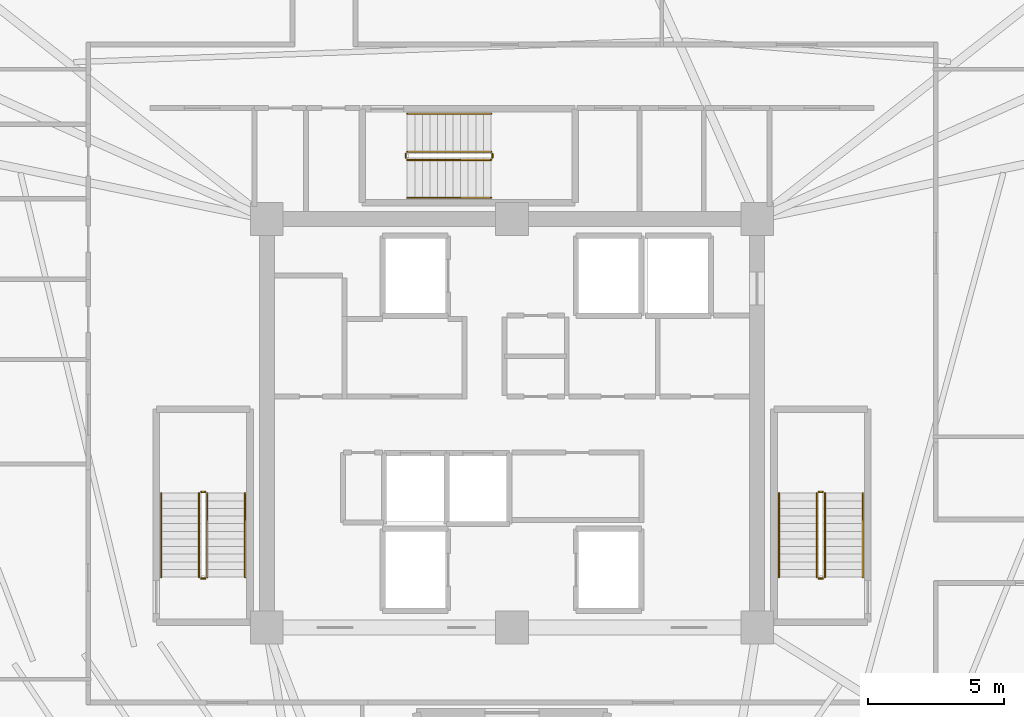
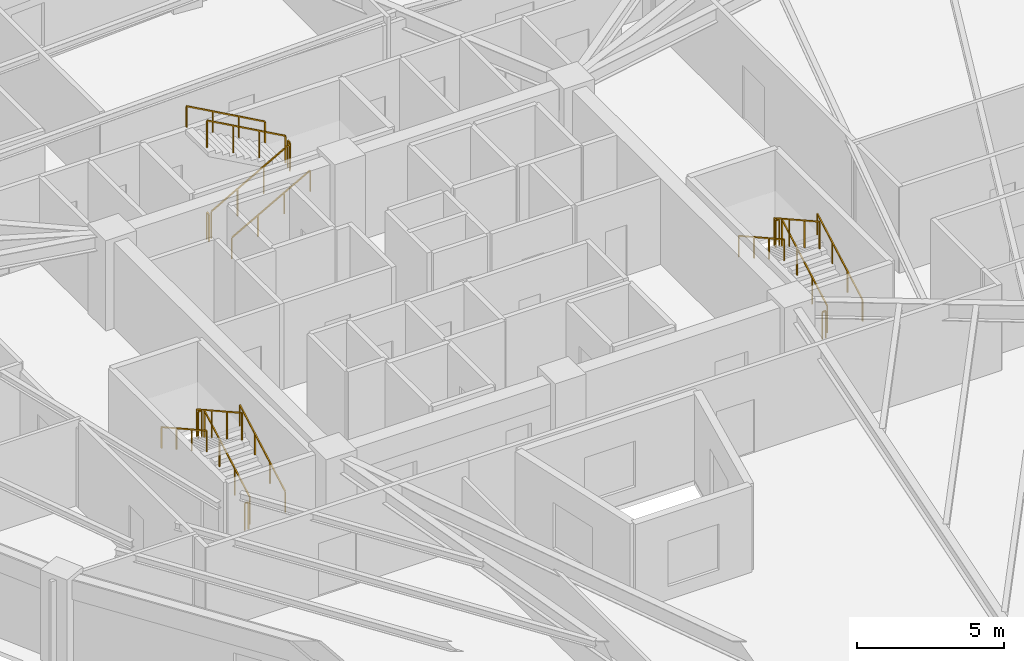
# One storey, part 8 of 8: 18 railings.
"""IFC4 building model written with IfcOpenShell, lengths in metres."""

from ifc_helpers import new_model, si_unit, direction, frame, origin, origin_2d, place, context, subcontext, project, spatial, rectangle, extrude, material, type_object, element, save


model = new_model("IFC4")

# Units and contexts
model_context = context("Model", 3, precision=1e-05, world=origin(), true_north=direction((0.0, 1.0)))
body_context = subcontext(model_context, "Body", "Model", "MODEL_VIEW")
ifc_project = project(units=[si_unit("LENGTHUNIT", "METRE"), si_unit("AREAUNIT", "SQUARE_METRE"), si_unit("VOLUMEUNIT", "CUBIC_METRE"), si_unit("PLANEANGLEUNIT", "RADIAN"), si_unit("MASSUNIT", "GRAM", prefix="KILO")], contexts=[model_context])

# Site, building, storey
site_placement = place(None, origin())
site = spatial("IfcSite", under=ifc_project, at=site_placement, CompositionType="ELEMENT")
building_placement = place(site_placement, origin())
building = spatial("IfcBuilding", under=site, at=building_placement, Name="Liaohun Quay Tower", CompositionType="ELEMENT")
storey_placement = place(building_placement, frame((0.0, 0.0, 290.25)))
storey = spatial("IfcBuildingStorey", under=building, at=storey_placement, Name="L75", CompositionType="ELEMENT", Elevation=290.25)

# Railings
ifc_material_1 = material(Name="Painted tubular steel", Category="steel")
railing_type_1 = type_object("IfcRailingType", Name="RLG-GUARD-STR", PredefinedType="GUARDRAIL", material=ifc_material_1)
railing_1_placement = place(storey_placement, frame((48.81005859375, 48.35009765625, 0.15625)))
element("IfcRailing", 1, at=railing_1_placement, inside=storey, type_object=railing_type_1, Name="L75 ST-1 stair guard 1", PredefinedType="GUARDRAIL", context=body_context, shape_type="SweptSolid", body=[
    extrude(rectangle(XDim=0.048095703125, YDim=0.048095703125, at=origin_2d()), frame((0.0, 0.0, 1.1259765625), z_axis=(0.0, 0.873225103656, 0.487317061414), x_axis=(-1.0, 0.0, 0.0)), (0.0, 0.0, 1.0), 3.52685546875),
    extrude(rectangle(XDim=0.0419921875, YDim=0.0419921875, at=origin_2d()), origin(), (0.0, 0.0, 1.0), 1.101806640625),
    extrude(rectangle(XDim=0.0419921875, YDim=0.0419921875, at=origin_2d()), frame((0.0, 1.026611328125, 0.572998046875)), (0.0, 0.0, 1.0), 1.101806640625),
    extrude(rectangle(XDim=0.0419921875, YDim=0.0419921875, at=origin_2d()), frame((0.0, 2.05322265625, 1.145751953125)), (0.0, 0.0, 1.0), 1.101806640625),
    extrude(rectangle(XDim=0.0419921875, YDim=0.0419921875, at=origin_2d()), frame((0.0, 3.079833984375, 1.71875)), (0.0, 0.0, 1.0), 1.101806640625),
])
railing_2_placement = place(storey_placement, frame((48.72998046875, 51.47998046875, 1.875)))
element("IfcRailing", 2, at=railing_2_placement, inside=storey, type_object=railing_type_1, Name="L75 ST-1 stair guard 2", PredefinedType="GUARDRAIL", context=body_context, shape_type="SweptSolid", body=[
    extrude(rectangle(XDim=0.048095703125, YDim=0.048095703125, at=origin_2d()), frame((0.0, 0.0, 1.1259765625), z_axis=(-1.0, 0.0, 0.0), x_axis=(0.0, -1.0, 0.0)), (0.0, 0.0, 1.0), 0.139892578125),
    extrude(rectangle(XDim=0.0419921875, YDim=0.0419921875, at=origin_2d()), origin(), (0.0, 0.0, 1.0), 1.101806640625),
    extrude(rectangle(XDim=0.0419921875, YDim=0.0419921875, at=origin_2d()), frame((-0.139892578125, 0.0, 0.0)), (0.0, 0.0, 1.0), 1.101806640625),
])
railing_3_placement = place(storey_placement, frame((48.510009765625, 51.429931640625, 2.03125)))
element("IfcRailing", 3, at=railing_3_placement, inside=storey, type_object=railing_type_1, Name="L75 ST-1 stair guard 3", PredefinedType="GUARDRAIL", context=body_context, shape_type="SweptSolid", body=[
    extrude(rectangle(XDim=0.048095703125, YDim=0.048095703125, at=origin_2d()), frame((0.0, 0.0, 1.1259765625), z_axis=(0.0, -0.873225103656, 0.487317061414), x_axis=(1.0, 0.0, 0.0)), (0.0, 0.0, 1.0), 3.52685546875),
    extrude(rectangle(XDim=0.0419921875, YDim=0.0419921875, at=origin_2d()), origin(), (0.0, 0.0, 1.0), 1.101806640625),
    extrude(rectangle(XDim=0.0419921875, YDim=0.0419921875, at=origin_2d()), frame((0.0, -1.026611328125, 0.572998046875)), (0.0, 0.0, 1.0), 1.101806640625),
    extrude(rectangle(XDim=0.0419921875, YDim=0.0419921875, at=origin_2d()), frame((0.0, -2.05322265625, 1.145751953125)), (0.0, 0.0, 1.0), 1.101806640625),
    extrude(rectangle(XDim=0.0419921875, YDim=0.0419921875, at=origin_2d()), frame((0.0, -3.079833984375, 1.71875)), (0.0, 0.0, 1.0), 1.101806640625),
])
railing_4_placement = place(storey_placement, frame((48.72998046875, 48.300048828125, 0.0)))
element("IfcRailing", 4, at=railing_4_placement, inside=storey, type_object=railing_type_1, Name="L75 ST-1 stair guard 4", PredefinedType="GUARDRAIL", context=body_context, shape_type="SweptSolid", body=[
    extrude(rectangle(XDim=0.048095703125, YDim=0.048095703125, at=origin_2d()), frame((0.0, 0.0, 1.1259765625), z_axis=(-1.0, 0.0, 0.0), x_axis=(0.0, -1.0, 0.0)), (0.0, 0.0, 1.0), 0.139892578125),
    extrude(rectangle(XDim=0.0419921875, YDim=0.0419921875, at=origin_2d()), origin(), (0.0, 0.0, 1.0), 1.101806640625),
    extrude(rectangle(XDim=0.0419921875, YDim=0.0419921875, at=origin_2d()), frame((-0.139892578125, 0.0, 0.0)), (0.0, 0.0, 1.0), 1.101806640625),
])
railing_5_placement = place(storey_placement, frame((71.489990234375, 48.35009765625, 0.15625)))
element("IfcRailing", 5, at=railing_5_placement, inside=storey, type_object=railing_type_1, Name="L75 ST-2 stair guard 1", PredefinedType="GUARDRAIL", context=body_context, shape_type="SweptSolid", body=[
    extrude(rectangle(XDim=0.048095703125, YDim=0.048095703125, at=origin_2d()), frame((0.0, 0.0, 1.1259765625), z_axis=(0.0, 0.873225103656, 0.487317061414), x_axis=(-1.0, 0.0, 0.0)), (0.0, 0.0, 1.0), 3.52685546875),
    extrude(rectangle(XDim=0.0419921875, YDim=0.0419921875, at=origin_2d()), origin(), (0.0, 0.0, 1.0), 1.101806640625),
    extrude(rectangle(XDim=0.0419921875, YDim=0.0419921875, at=origin_2d()), frame((0.0, 1.026611328125, 0.572998046875)), (0.0, 0.0, 1.0), 1.101806640625),
    extrude(rectangle(XDim=0.0419921875, YDim=0.0419921875, at=origin_2d()), frame((0.0, 2.05322265625, 1.145751953125)), (0.0, 0.0, 1.0), 1.101806640625),
    extrude(rectangle(XDim=0.0419921875, YDim=0.0419921875, at=origin_2d()), frame((0.0, 3.079833984375, 1.71875)), (0.0, 0.0, 1.0), 1.101806640625),
])
railing_6_placement = place(storey_placement, frame((71.409912109375, 51.47998046875, 1.875)))
element("IfcRailing", 6, at=railing_6_placement, inside=storey, type_object=railing_type_1, Name="L75 ST-2 stair guard 2", PredefinedType="GUARDRAIL", context=body_context, shape_type="SweptSolid", body=[
    extrude(rectangle(XDim=0.048095703125, YDim=0.048095703125, at=origin_2d()), frame((0.0, 0.0, 1.1259765625), z_axis=(-1.0, 0.0, 0.0), x_axis=(0.0, -1.0, 0.0)), (0.0, 0.0, 1.0), 0.139892578125),
    extrude(rectangle(XDim=0.0419921875, YDim=0.0419921875, at=origin_2d()), origin(), (0.0, 0.0, 1.0), 1.101806640625),
    extrude(rectangle(XDim=0.0419921875, YDim=0.0419921875, at=origin_2d()), frame((-0.139892578125, 0.0, 0.0)), (0.0, 0.0, 1.0), 1.101806640625),
])
railing_7_placement = place(storey_placement, frame((71.18994140625, 51.429931640625, 2.03125)))
element("IfcRailing", 7, at=railing_7_placement, inside=storey, type_object=railing_type_1, Name="L75 ST-2 stair guard 3", PredefinedType="GUARDRAIL", context=body_context, shape_type="SweptSolid", body=[
    extrude(rectangle(XDim=0.048095703125, YDim=0.048095703125, at=origin_2d()), frame((0.0, 0.0, 1.1259765625), z_axis=(0.0, -0.873225103656, 0.487317061414), x_axis=(1.0, 0.0, 0.0)), (0.0, 0.0, 1.0), 3.52685546875),
    extrude(rectangle(XDim=0.0419921875, YDim=0.0419921875, at=origin_2d()), origin(), (0.0, 0.0, 1.0), 1.101806640625),
    extrude(rectangle(XDim=0.0419921875, YDim=0.0419921875, at=origin_2d()), frame((0.0, -1.026611328125, 0.572998046875)), (0.0, 0.0, 1.0), 1.101806640625),
    extrude(rectangle(XDim=0.0419921875, YDim=0.0419921875, at=origin_2d()), frame((0.0, -2.05322265625, 1.145751953125)), (0.0, 0.0, 1.0), 1.101806640625),
    extrude(rectangle(XDim=0.0419921875, YDim=0.0419921875, at=origin_2d()), frame((0.0, -3.079833984375, 1.71875)), (0.0, 0.0, 1.0), 1.101806640625),
])
railing_8_placement = place(storey_placement, frame((71.409912109375, 48.300048828125, 0.0)))
element("IfcRailing", 8, at=railing_8_placement, inside=storey, type_object=railing_type_1, Name="L75 ST-2 stair guard 4", PredefinedType="GUARDRAIL", context=body_context, shape_type="SweptSolid", body=[
    extrude(rectangle(XDim=0.048095703125, YDim=0.048095703125, at=origin_2d()), frame((0.0, 0.0, 1.1259765625), z_axis=(-1.0, 0.0, 0.0), x_axis=(0.0, -1.0, 0.0)), (0.0, 0.0, 1.0), 0.139892578125),
    extrude(rectangle(XDim=0.0419921875, YDim=0.0419921875, at=origin_2d()), origin(), (0.0, 0.0, 1.0), 1.101806640625),
    extrude(rectangle(XDim=0.0419921875, YDim=0.0419921875, at=origin_2d()), frame((-0.139892578125, 0.0, 0.0)), (0.0, 0.0, 1.0), 1.101806640625),
])
railing_9_placement = place(storey_placement, frame((56.14990234375, 63.669921875, 0.15625)))
element("IfcRailing", 9, at=railing_9_placement, inside=storey, type_object=railing_type_1, Name="L75 ST-3 stair guard 1", PredefinedType="GUARDRAIL", context=body_context, shape_type="SweptSolid", body=[
    extrude(rectangle(XDim=0.048095703125, YDim=0.048095703125, at=origin_2d()), frame((0.0, 0.0, 1.1259765625), z_axis=(0.873241540666, 0.0, 0.487287606713), x_axis=(0.0, 1.0, 0.0)), (0.0, 0.0, 1.0), 3.527099609375),
    extrude(rectangle(XDim=0.0419921875, YDim=0.0419921875, at=origin_2d()), origin(), (0.0, 0.0, 1.0), 1.101806640625),
    extrude(rectangle(XDim=0.0419921875, YDim=0.0419921875, at=origin_2d()), frame((1.026611328125, 0.0, 0.572998046875)), (0.0, 0.0, 1.0), 1.101806640625),
    extrude(rectangle(XDim=0.0419921875, YDim=0.0419921875, at=origin_2d()), frame((2.053466796875, 0.0, 1.145751953125)), (0.0, 0.0, 1.0), 1.101806640625),
    extrude(rectangle(XDim=0.0419921875, YDim=0.0419921875, at=origin_2d()), frame((3.080078125, 0.0, 1.71875)), (0.0, 0.0, 1.0), 1.101806640625),
])
railing_10_placement = place(storey_placement, frame((59.280029296875, 63.75, 1.875)))
element("IfcRailing", 10, at=railing_10_placement, inside=storey, type_object=railing_type_1, Name="L75 ST-3 stair guard 2", PredefinedType="GUARDRAIL", context=body_context, shape_type="SweptSolid", body=[
    extrude(rectangle(XDim=0.048095703125, YDim=0.048095703125, at=origin_2d()), frame((0.0, 0.0, 1.1259765625), z_axis=(0.0, 1.0, 0.0), x_axis=(-1.0, 0.0, 0.0)), (0.0, 0.0, 1.0), 0.139892578125),
    extrude(rectangle(XDim=0.0419921875, YDim=0.0419921875, at=origin_2d()), origin(), (0.0, 0.0, 1.0), 1.101806640625),
    extrude(rectangle(XDim=0.0419921875, YDim=0.0419921875, at=origin_2d()), frame((0.0, 0.139892578125, 0.0)), (0.0, 0.0, 1.0), 1.101806640625),
])
railing_11_placement = place(storey_placement, frame((59.22998046875, 63.969970703125, 2.03125)))
element("IfcRailing", 11, at=railing_11_placement, inside=storey, type_object=railing_type_1, Name="L75 ST-3 stair guard 3", PredefinedType="GUARDRAIL", context=body_context, shape_type="SweptSolid", body=[
    extrude(rectangle(XDim=0.048095703125, YDim=0.048095703125, at=origin_2d()), frame((0.0, 0.0, 1.1259765625), z_axis=(-0.873241540666, 0.0, 0.487287606713), x_axis=(0.0, -1.0, 0.0)), (0.0, 0.0, 1.0), 3.527099609375),
    extrude(rectangle(XDim=0.0419921875, YDim=0.0419921875, at=origin_2d()), origin(), (0.0, 0.0, 1.0), 1.101806640625),
    extrude(rectangle(XDim=0.0419921875, YDim=0.0419921875, at=origin_2d()), frame((-1.026611328125, 0.0, 0.572998046875)), (0.0, 0.0, 1.0), 1.101806640625),
    extrude(rectangle(XDim=0.0419921875, YDim=0.0419921875, at=origin_2d()), frame((-2.053466796875, 0.0, 1.145751953125)), (0.0, 0.0, 1.0), 1.101806640625),
    extrude(rectangle(XDim=0.0419921875, YDim=0.0419921875, at=origin_2d()), frame((-3.080078125, 0.0, 1.71875)), (0.0, 0.0, 1.0), 1.101806640625),
])
railing_12_placement = place(storey_placement, frame((56.10009765625, 63.75, 0.0)))
element("IfcRailing", 12, at=railing_12_placement, inside=storey, type_object=railing_type_1, Name="L75 ST-3 stair guard 4", PredefinedType="GUARDRAIL", context=body_context, shape_type="SweptSolid", body=[
    extrude(rectangle(XDim=0.048095703125, YDim=0.048095703125, at=origin_2d()), frame((0.0, 0.0, 1.1259765625), z_axis=(0.0, 1.0, 0.0), x_axis=(-1.0, 0.0, 0.0)), (0.0, 0.0, 1.0), 0.139892578125),
    extrude(rectangle(XDim=0.0419921875, YDim=0.0419921875, at=origin_2d()), origin(), (0.0, 0.0, 1.0), 1.101806640625),
    extrude(rectangle(XDim=0.0419921875, YDim=0.0419921875, at=origin_2d()), frame((0.0, 0.139892578125, 0.0)), (0.0, 0.0, 1.0), 1.101806640625),
])
ifc_material_2 = material(Name="Brushed stainless steel", Category="steel")
railing_type_2 = type_object("IfcRailingType", Name="RLG-HND-STR", PredefinedType="HANDRAIL", material=ifc_material_2)
railing_13_placement = place(storey_placement, frame((50.199951171875, 48.35009765625, 0.15625)))
element("IfcRailing", 13, at=railing_13_placement, inside=storey, type_object=railing_type_2, Name="L75 ST-1 stair handrail 1", PredefinedType="HANDRAIL", context=body_context, shape_type="SweptSolid", body=[
    extrude(rectangle(XDim=0.048095703125, YDim=0.048095703125, at=origin_2d()), frame((0.0, 0.0, 0.8759765625), z_axis=(0.0, 0.873225103656, 0.487317061414), x_axis=(-1.0, 0.0, 0.0)), (0.0, 0.0, 1.0), 3.52685546875),
    extrude(rectangle(XDim=0.0419921875, YDim=0.0419921875, at=origin_2d()), origin(), (0.0, 0.0, 1.0), 0.851806640625),
    extrude(rectangle(XDim=0.0419921875, YDim=0.0419921875, at=origin_2d()), frame((0.0, 1.026611328125, 0.572998046875)), (0.0, 0.0, 1.0), 0.851806640625),
    extrude(rectangle(XDim=0.0419921875, YDim=0.0419921875, at=origin_2d()), frame((0.0, 2.05322265625, 1.145751953125)), (0.0, 0.0, 1.0), 0.851806640625),
    extrude(rectangle(XDim=0.0419921875, YDim=0.0419921875, at=origin_2d()), frame((0.0, 3.079833984375, 1.71875)), (0.0, 0.0, 1.0), 0.851806640625),
])
railing_14_placement = place(storey_placement, frame((47.1201171875, 51.429931640625, 2.03125)))
element("IfcRailing", 14, at=railing_14_placement, inside=storey, type_object=railing_type_2, Name="L75 ST-1 stair handrail 2", PredefinedType="HANDRAIL", context=body_context, shape_type="SweptSolid", body=[
    extrude(rectangle(XDim=0.048095703125, YDim=0.048095703125, at=origin_2d()), frame((0.0, 0.0, 0.8759765625), z_axis=(0.0, -0.873225103656, 0.487317061414), x_axis=(1.0, 0.0, 0.0)), (0.0, 0.0, 1.0), 3.52685546875),
    extrude(rectangle(XDim=0.0419921875, YDim=0.0419921875, at=origin_2d()), origin(), (0.0, 0.0, 1.0), 0.851806640625),
    extrude(rectangle(XDim=0.0419921875, YDim=0.0419921875, at=origin_2d()), frame((0.0, -1.026611328125, 0.572998046875)), (0.0, 0.0, 1.0), 0.851806640625),
    extrude(rectangle(XDim=0.0419921875, YDim=0.0419921875, at=origin_2d()), frame((0.0, -2.05322265625, 1.145751953125)), (0.0, 0.0, 1.0), 0.851806640625),
    extrude(rectangle(XDim=0.0419921875, YDim=0.0419921875, at=origin_2d()), frame((0.0, -3.079833984375, 1.71875)), (0.0, 0.0, 1.0), 0.851806640625),
])
railing_15_placement = place(storey_placement, frame((72.8798828125, 48.35009765625, 0.15625)))
element("IfcRailing", 15, at=railing_15_placement, inside=storey, type_object=railing_type_2, Name="L75 ST-2 stair handrail 1", PredefinedType="HANDRAIL", context=body_context, shape_type="SweptSolid", body=[
    extrude(rectangle(XDim=0.048095703125, YDim=0.048095703125, at=origin_2d()), frame((0.0, 0.0, 0.8759765625), z_axis=(0.0, 0.873225103656, 0.487317061414), x_axis=(-1.0, 0.0, 0.0)), (0.0, 0.0, 1.0), 3.52685546875),
    extrude(rectangle(XDim=0.0419921875, YDim=0.0419921875, at=origin_2d()), origin(), (0.0, 0.0, 1.0), 0.851806640625),
    extrude(rectangle(XDim=0.0419921875, YDim=0.0419921875, at=origin_2d()), frame((0.0, 1.026611328125, 0.572998046875)), (0.0, 0.0, 1.0), 0.851806640625),
    extrude(rectangle(XDim=0.0419921875, YDim=0.0419921875, at=origin_2d()), frame((0.0, 2.05322265625, 1.145751953125)), (0.0, 0.0, 1.0), 0.851806640625),
    extrude(rectangle(XDim=0.0419921875, YDim=0.0419921875, at=origin_2d()), frame((0.0, 3.079833984375, 1.71875)), (0.0, 0.0, 1.0), 0.851806640625),
])
railing_16_placement = place(storey_placement, frame((69.800048828125, 51.429931640625, 2.03125)))
element("IfcRailing", 16, at=railing_16_placement, inside=storey, type_object=railing_type_2, Name="L75 ST-2 stair handrail 2", PredefinedType="HANDRAIL", context=body_context, shape_type="SweptSolid", body=[
    extrude(rectangle(XDim=0.048095703125, YDim=0.048095703125, at=origin_2d()), frame((0.0, 0.0, 0.8759765625), z_axis=(0.0, -0.873225103656, 0.487317061414), x_axis=(1.0, 0.0, 0.0)), (0.0, 0.0, 1.0), 3.52685546875),
    extrude(rectangle(XDim=0.0419921875, YDim=0.0419921875, at=origin_2d()), origin(), (0.0, 0.0, 1.0), 0.851806640625),
    extrude(rectangle(XDim=0.0419921875, YDim=0.0419921875, at=origin_2d()), frame((0.0, -1.026611328125, 0.572998046875)), (0.0, 0.0, 1.0), 0.851806640625),
    extrude(rectangle(XDim=0.0419921875, YDim=0.0419921875, at=origin_2d()), frame((0.0, -2.05322265625, 1.145751953125)), (0.0, 0.0, 1.0), 0.851806640625),
    extrude(rectangle(XDim=0.0419921875, YDim=0.0419921875, at=origin_2d()), frame((0.0, -3.079833984375, 1.71875)), (0.0, 0.0, 1.0), 0.851806640625),
])
railing_17_placement = place(storey_placement, frame((56.14990234375, 62.280029296875, 0.15625)))
element("IfcRailing", 17, at=railing_17_placement, inside=storey, type_object=railing_type_2, Name="L75 ST-3 stair handrail 1", PredefinedType="HANDRAIL", context=body_context, shape_type="SweptSolid", body=[
    extrude(rectangle(XDim=0.048095703125, YDim=0.048095703125, at=origin_2d()), frame((0.0, 0.0, 0.8759765625), z_axis=(0.873241540666, 0.0, 0.487287606713), x_axis=(0.0, 1.0, 0.0)), (0.0, 0.0, 1.0), 3.527099609375),
    extrude(rectangle(XDim=0.0419921875, YDim=0.0419921875, at=origin_2d()), origin(), (0.0, 0.0, 1.0), 0.851806640625),
    extrude(rectangle(XDim=0.0419921875, YDim=0.0419921875, at=origin_2d()), frame((1.026611328125, 0.0, 0.572998046875)), (0.0, 0.0, 1.0), 0.851806640625),
    extrude(rectangle(XDim=0.0419921875, YDim=0.0419921875, at=origin_2d()), frame((2.053466796875, 0.0, 1.145751953125)), (0.0, 0.0, 1.0), 0.851806640625),
    extrude(rectangle(XDim=0.0419921875, YDim=0.0419921875, at=origin_2d()), frame((3.080078125, 0.0, 1.71875)), (0.0, 0.0, 1.0), 0.851806640625),
])
railing_18_placement = place(storey_placement, frame((59.22998046875, 65.360107421875, 2.03125)))
element("IfcRailing", 18, at=railing_18_placement, inside=storey, type_object=railing_type_2, Name="L75 ST-3 stair handrail 2", PredefinedType="HANDRAIL", context=body_context, shape_type="SweptSolid", body=[
    extrude(rectangle(XDim=0.048095703125, YDim=0.048095703125, at=origin_2d()), frame((0.0, 0.0, 0.8759765625), z_axis=(-0.873241540666, 0.0, 0.487287606713), x_axis=(0.0, -1.0, 0.0)), (0.0, 0.0, 1.0), 3.527099609375),
    extrude(rectangle(XDim=0.0419921875, YDim=0.0419921875, at=origin_2d()), origin(), (0.0, 0.0, 1.0), 0.851806640625),
    extrude(rectangle(XDim=0.0419921875, YDim=0.0419921875, at=origin_2d()), frame((-1.026611328125, 0.0, 0.572998046875)), (0.0, 0.0, 1.0), 0.851806640625),
    extrude(rectangle(XDim=0.0419921875, YDim=0.0419921875, at=origin_2d()), frame((-2.053466796875, 0.0, 1.145751953125)), (0.0, 0.0, 1.0), 0.851806640625),
    extrude(rectangle(XDim=0.0419921875, YDim=0.0419921875, at=origin_2d()), frame((-3.080078125, 0.0, 1.71875)), (0.0, 0.0, 1.0), 0.851806640625),
])

save(model, "model.ifc")
